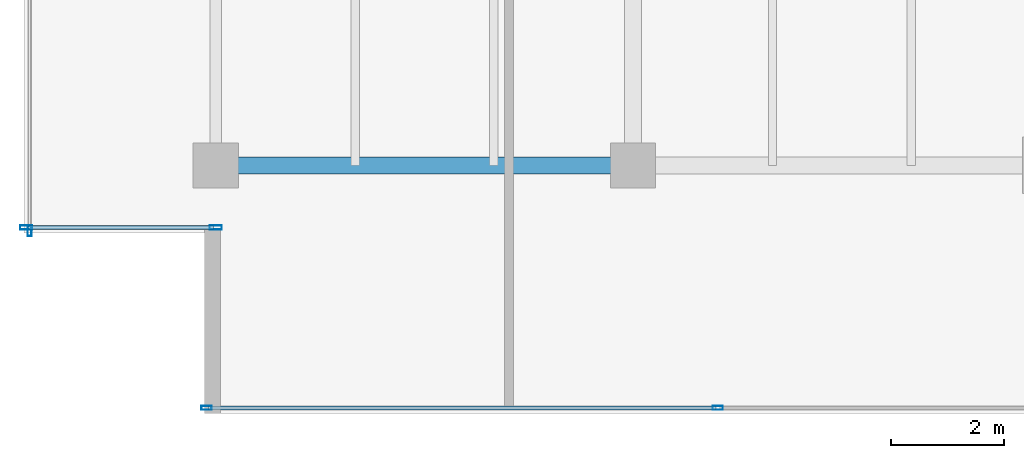
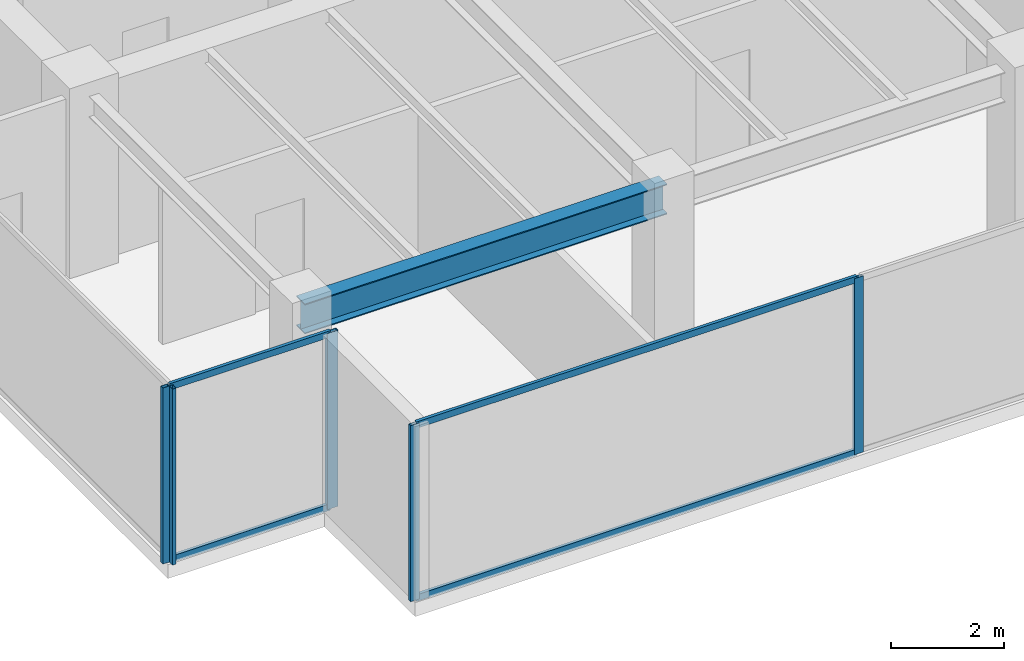
# One storey, part 5 of 33: 9 members, 1 beam, 3 elements without a shape of their own.
"""IFC4 building model written with IfcOpenShell, lengths in metres."""

from ifc_helpers import new_model, si_unit, direction, frame, origin, origin_2d, place, context, subcontext, project, spatial, hollow_rectangle, i_section, extrude, source, transform, mapped, material, layer, layer_set, material_profile, profile_set, type_object, type_shapes, element, aggregate, save


model = new_model("IFC4")

# Units and contexts
model_context = context("Model", 3, precision=1e-05, world=origin(), true_north=direction((0.0, 1.0)))
body_context = subcontext(model_context, "Body", "Model", "MODEL_VIEW")
ifc_project = project(units=[si_unit("LENGTHUNIT", "METRE"), si_unit("AREAUNIT", "SQUARE_METRE"), si_unit("VOLUMEUNIT", "CUBIC_METRE"), si_unit("PLANEANGLEUNIT", "RADIAN"), si_unit("MASSUNIT", "GRAM", prefix="KILO")], contexts=[model_context])

# Site, building, storey
site_placement = place(None, origin())
site = spatial("IfcSite", under=ifc_project, at=site_placement, CompositionType="ELEMENT")
building_placement = place(site_placement, origin())
building = spatial("IfcBuilding", under=site, at=building_placement, Name="Haelvirn Gate Laboratories", CompositionType="ELEMENT")
storey_placement = place(building_placement, frame((0.0, 0.0, 238.300048828125)))
storey = spatial("IfcBuildingStorey", under=building, at=storey_placement, Name="L57", CompositionType="ELEMENT", Elevation=238.300048828125)

# Beam
ifc_material_1 = material(Name="Steel SM355", Category="steel")
ifc_material_profile_1 = material_profile(ifc_material_1, i_section(OverallWidth=0.300048828125, OverallDepth=0.64990234375, WebThickness=0.012939453125, FlangeThickness=0.02197265625, at=origin_2d()), Name="H-650x300x13x22")
ifc_profile_set_1 = profile_set([ifc_material_profile_1], Name="Steel SM355")
beam_type = type_object("IfcBeamType", Name="BM-G-650", PredefinedType="BEAM", material=ifc_profile_set_1)
shared_shape_1 = source(origin(), body_context, "Body", "SweptSolid", [
    extrude(i_section(OverallWidth=0.300048828125, OverallDepth=0.64990234375, WebThickness=0.012939453125, FlangeThickness=0.02197265625, at=origin_2d()), origin(), (0.0, 0.0, 1.0), 7.400146484375),
])
type_shapes(beam_type, [shared_shape_1])
beam_placement = place(storey_placement, frame((7.39990234375, 7.0, 3.474853515625), z_axis=(1.0, 0.0, 0.0), x_axis=(0.0, 1.0, 0.0)))
element("IfcBeam", 1, at=beam_placement, inside=storey, type_object=beam_type, Name="L57 Primary Girder Y7.0 (7.4-14.8)", PredefinedType="BEAM", context=body_context, shape_type="MappedRepresentation", body=[
    mapped(shared_shape_1, transform((0.0, 0.0, 0.0), scale=1.0)),
])

# Curtain wall, members
ifc_material_2 = material(Name="Anodised bronze unitised aluminium & triple low-E glass", Category="aluminium")
ifc_layer_1 = layer(ifc_material_2, 0.181884765625, Name="CW-SYS-5")
ifc_layer_set_1 = layer_set([ifc_layer_1], Name="Anodised bronze unitised aluminium & triple low-E glass")
curtain_wall_type_1 = type_object("IfcCurtainWallType", Name="CW-SYS-5", PredefinedType="NOTDEFINED", material=ifc_layer_set_1)
curtain_wall_1_placement = place(storey_placement, origin())
curtain_wall_1 = element("IfcCurtainWall", 2, at=curtain_wall_1_placement, inside=storey, type_object=curtain_wall_type_1, Name="L57 Unitised Curtain Wall CW-L57-P0-E18-1", PredefinedType="NOTDEFINED")
ifc_material_3 = material(Name="Extruded aluminium 6063-T6 (anodised bronze)", Category="aluminium")
ifc_material_profile_2 = material_profile(ifc_material_3, hollow_rectangle(XDim=0.06494140625, YDim=0.139892578125, WallThickness=0.00390625, at=origin_2d()), Name="CWT-140x65x4")
ifc_profile_set_2 = profile_set([ifc_material_profile_2], Name="Extruded aluminium 6063-T6 (anodised bronze)")
member_type_1 = type_object("IfcMemberType", Name="CWT-T140", PredefinedType="USERDEFINED", material=ifc_profile_set_2)
shared_shape_2 = source(origin(), body_context, "Body", "SweptSolid", [
    extrude(hollow_rectangle(XDim=0.06494140625, YDim=0.139892578125, WallThickness=0.00390625, at=origin_2d()), origin(), (0.0, 0.0, 1.0), 3.280029296875),
])
member_1_placement = place(storey_placement, frame((4.080078125, 5.89990234375, 0.032470703125), z_axis=(1.0, 0.0, 0.0), x_axis=(0.0, 1.0, 0.0)))
member_1 = element("IfcMember", 3, at=member_1_placement, type_object=member_type_1, Name="CW5 transom 1.1", ObjectType="TRANSOM", PredefinedType="USERDEFINED", context=body_context, shape_type="MappedRepresentation", body=[
    mapped(shared_shape_2, transform((0.0, 0.0, 0.0), scale=1.0)),
])
member_2_placement = place(storey_placement, frame((4.080078125, 5.89990234375, 3.767333984375), z_axis=(1.0, 0.0, 0.0), x_axis=(0.0, 1.0, 0.0)))
member_2 = element("IfcMember", 4, at=member_2_placement, type_object=member_type_1, Name="CW5 transom 1.2", ObjectType="TRANSOM", PredefinedType="USERDEFINED", context=body_context, shape_type="MappedRepresentation", body=[
    mapped(shared_shape_2, transform((0.0, 0.0, 0.0), scale=1.0)),
])

ifc_layer_2 = layer(ifc_material_2, 0.176025390625, Name="CW-SYS-4")
ifc_layer_set_2 = layer_set([ifc_layer_2], Name="Anodised bronze unitised aluminium & triple low-E glass")
curtain_wall_type_2 = type_object("IfcCurtainWallType", Name="CW-SYS-4", PredefinedType="NOTDEFINED", material=ifc_layer_set_2)
curtain_wall_2_placement = place(storey_placement, origin())
curtain_wall_2 = element("IfcCurtainWall", 5, at=curtain_wall_2_placement, inside=storey, type_object=curtain_wall_type_2, Name="L57 Unitised Curtain Wall CW-L57-P0-E00-1", PredefinedType="NOTDEFINED")
ifc_material_profile_3 = material_profile(ifc_material_3, hollow_rectangle(XDim=0.070068359375, YDim=0.179931640625, WallThickness=0.0048828125, at=origin_2d()), Name="CWM-180x70x5")
ifc_profile_set_3 = profile_set([ifc_material_profile_3], Name="Extruded aluminium 6063-T6 (anodised bronze)")
member_type_2 = type_object("IfcMemberType", Name="CWM-T180", PredefinedType="MULLION", material=ifc_profile_set_3)
shared_shape_3 = source(origin(), body_context, "Body", "SweptSolid", [
    extrude(hollow_rectangle(XDim=0.070068359375, YDim=0.179931640625, WallThickness=0.0048828125, at=origin_2d()), origin(), (0.0, 0.0, 1.0), 3.800048828125),
])
type_shapes(member_type_2, [shared_shape_3])
member_3_placement = place(storey_placement, frame((7.235107421875, 2.699951171875, 0.0), z_axis=(0.0, 0.0, 1.0), x_axis=(0.0, 1.0, 0.0)))
member_3 = element("IfcMember", 6, at=member_3_placement, type_object=member_type_2, Name="CW4 mullion 1", PredefinedType="MULLION", context=body_context, shape_type="MappedRepresentation", body=[
    mapped(shared_shape_3, transform((0.0, 0.0, 0.0), scale=1.0)),
])
member_4_placement = place(storey_placement, frame((16.300048828125, 2.699951171875, 0.0), z_axis=(0.0, 0.0, 1.0), x_axis=(0.0, 1.0, 0.0)))
member_4 = element("IfcMember", 7, at=member_4_placement, type_object=member_type_2, Name="CW4 mullion 2", PredefinedType="MULLION", context=body_context, shape_type="MappedRepresentation", body=[
    mapped(shared_shape_3, transform((0.0, 0.0, 0.0), scale=1.0)),
])

# Curtain wall, member
curtain_wall_3_placement = place(storey_placement, origin())
curtain_wall_3 = element("IfcCurtainWall", 8, at=curtain_wall_3_placement, inside=storey, type_object=curtain_wall_type_2, Name="L57 Unitised Curtain Wall CW-L57-P0-E17", PredefinedType="NOTDEFINED")
member_5_placement = place(storey_placement, frame((4.10009765625, 5.8349609375, 0.0), z_axis=(0.0, 0.0, 1.0), x_axis=(1.0, 0.0, 0.0)))
member_5 = element("IfcMember", 9, at=member_5_placement, type_object=member_type_2, Name="CW4 mullion 3", PredefinedType="MULLION", context=body_context, shape_type="MappedRepresentation", body=[
    mapped(shared_shape_3, transform((0.0, 0.0, 0.0), scale=1.0)),
])
aggregate(curtain_wall_3, [member_5])

# Member
shared_shape_4 = source(origin(), body_context, "Body", "SweptSolid", [
    extrude(hollow_rectangle(XDim=0.06494140625, YDim=0.139892578125, WallThickness=0.00390625, at=origin_2d()), origin(), (0.0, 0.0, 1.0), 8.994873046875),
])
type_shapes(member_type_1, [shared_shape_2, shared_shape_4])
member_6_placement = place(storey_placement, frame((7.27001953125, 2.699951171875, 0.032470703125), z_axis=(1.0, 0.0, 0.0), x_axis=(0.0, 1.0, 0.0)))
member_6 = element("IfcMember", 10, at=member_6_placement, type_object=member_type_1, Name="CW4 transom 1.1", ObjectType="TRANSOM", PredefinedType="USERDEFINED", context=body_context, shape_type="MappedRepresentation", body=[
    mapped(shared_shape_4, transform((0.0, 0.0, 0.0), scale=1.0)),
])

member_7_placement = place(storey_placement, frame((7.27001953125, 2.699951171875, 3.767333984375), z_axis=(1.0, 0.0, 0.0), x_axis=(0.0, 1.0, 0.0)))
member_7 = element("IfcMember", 11, at=member_7_placement, type_object=member_type_1, Name="CW4 transom 1.2", ObjectType="TRANSOM", PredefinedType="USERDEFINED", context=body_context, shape_type="MappedRepresentation", body=[
    mapped(shared_shape_4, transform((0.0, 0.0, 0.0), scale=1.0)),
])

aggregate(curtain_wall_2, [member_3, member_4, member_6, member_7])

ifc_material_profile_4 = material_profile(ifc_material_3, hollow_rectangle(XDim=0.080078125, YDim=0.219970703125, WallThickness=0.006103515625, at=origin_2d()), Name="CWM-220x80x6")
ifc_profile_set_4 = profile_set([ifc_material_profile_4], Name="Extruded aluminium 6063-T6 (anodised bronze)")
member_type_3 = type_object("IfcMemberType", Name="CWM-T220", PredefinedType="MULLION", material=ifc_profile_set_4)
shared_shape_5 = source(origin(), body_context, "Body", "SweptSolid", [
    extrude(hollow_rectangle(XDim=0.080078125, YDim=0.219970703125, WallThickness=0.006103515625, at=origin_2d()), origin(), (0.0, 0.0, 1.0), 3.800048828125),
])
type_shapes(member_type_3, [shared_shape_5])
member_8_placement = place(storey_placement, frame((4.0400390625, 5.89990234375, 0.0), z_axis=(0.0, 0.0, 1.0), x_axis=(0.0, 1.0, 0.0)))
member_8 = element("IfcMember", 12, at=member_8_placement, type_object=member_type_3, Name="CW5 mullion 1", PredefinedType="MULLION", context=body_context, shape_type="MappedRepresentation", body=[
    mapped(shared_shape_5, transform((0.0, 0.0, 0.0), scale=1.0)),
])

member_9_placement = place(storey_placement, frame((7.39990234375, 5.89990234375, 0.0), z_axis=(0.0, 0.0, 1.0), x_axis=(0.0, 1.0, 0.0)))
member_9 = element("IfcMember", 13, at=member_9_placement, type_object=member_type_3, Name="CW5 mullion 2", PredefinedType="MULLION", context=body_context, shape_type="MappedRepresentation", body=[
    mapped(shared_shape_5, transform((0.0, 0.0, 0.0), scale=1.0)),
])

aggregate(curtain_wall_1, [member_8, member_9, member_1, member_2])

save(model, "model.ifc")
